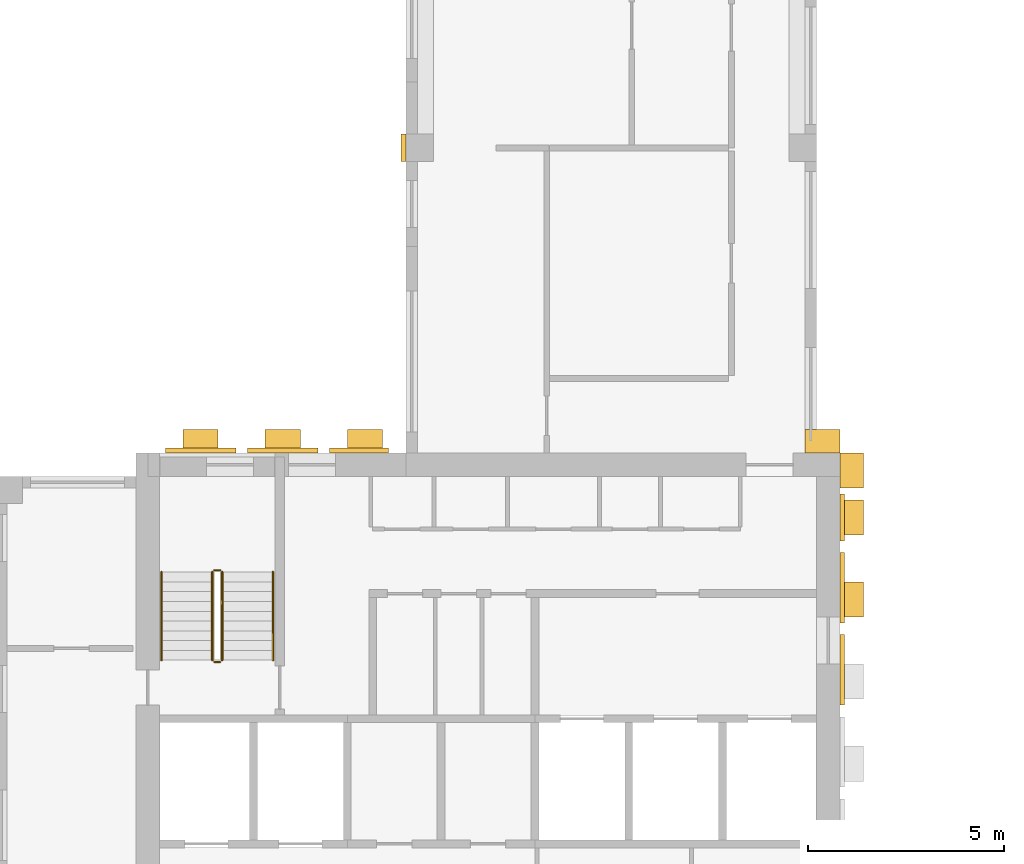
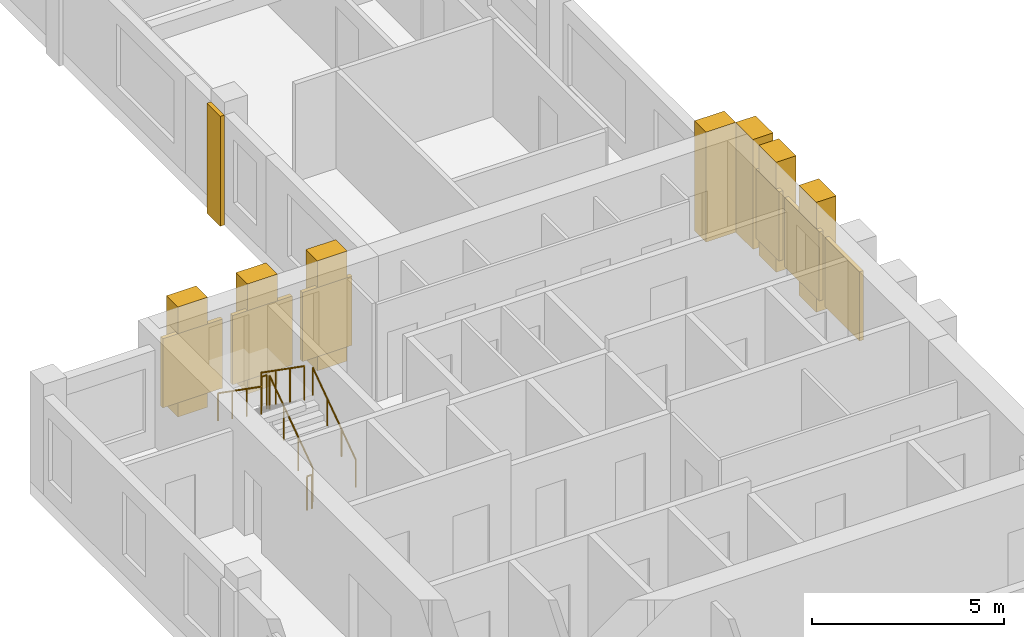
# One storey, part 7 of 9: 14 coverings, 6 railings.
"""IFC4 building model written with IfcOpenShell, lengths in metres."""

from ifc_helpers import new_model, si_unit, direction, frame, origin, origin_2d, place, context, subcontext, project, spatial, rectangle, circle, extrude, source, transform, mapped, material, type_object, element, save


model = new_model("IFC4")

# Units and contexts
model_context = context("Model", 3, precision=1e-05, world=origin(), true_north=direction((0.0, 1.0)))
body_context = subcontext(model_context, "Body", "Model", "MODEL_VIEW")
ifc_project = project(units=[si_unit("LENGTHUNIT", "METRE"), si_unit("AREAUNIT", "SQUARE_METRE"), si_unit("VOLUMEUNIT", "CUBIC_METRE"), si_unit("PLANEANGLEUNIT", "RADIAN"), si_unit("MASSUNIT", "GRAM", prefix="KILO")], contexts=[model_context])

# Site, building, storey
site_placement = place(None, origin())
site = spatial("IfcSite", under=ifc_project, at=site_placement, CompositionType="ELEMENT")
building_placement = place(site_placement, origin())
building = spatial("IfcBuilding", under=site, at=building_placement, Name="Aurelian Terraces", CompositionType="ELEMENT")
storey_placement = place(building_placement, frame((0.0, 0.0, 295.0)))
storey = spatial("IfcBuildingStorey", under=building, at=storey_placement, Name="L67", CompositionType="ELEMENT", Elevation=295.0)

# Coverings
ifc_material_1 = material(Name="Terracotta rainscreen cladding louvre blades", Category="masonry")
covering_type_1 = type_object("IfcCoveringType", Name="LOUVRE-TC", PredefinedType="CLADDING", material=ifc_material_1)
shared_shape_1 = source(origin(), body_context, "Body", "SweptSolid", [
    extrude(rectangle(XDim=0.12, YDim=1.8, at=origin_2d()), origin(), (0.0, 0.0, 1.0), 2.2),
])
for number, where, z_axis, x_axis, name in (
    (1, (21.66, 16.05, 0.45), (0.0, 0.0, 1.0), (1.0, 0.0, 0.0), "LOUVRE L67 core face E.3"),
    (2, (21.66, 18.15, 0.45), (0.0, 0.0, 1.0), (1.0, 0.0, 0.0), "LOUVRE L67 core face E.4"),
):
    element("IfcCovering", number, at=place(storey_placement, frame(where, z_axis=z_axis, x_axis=x_axis)), inside=storey, type_object=covering_type_1, Name=name, PredefinedType="CLADDING", context=body_context, shape_type="MappedRepresentation", body=[
        mapped(shared_shape_1, transform((0.0, 0.0, 0.0), scale=1.0)),
    ])
shared_shape_2 = source(origin(), body_context, "Body", "SweptSolid", [
    extrude(rectangle(XDim=1.8, YDim=0.12, at=origin_2d()), origin(), (0.0, 0.0, 1.0), 2.2),
])
for number, where, z_axis, x_axis, name in (
    (3, (5.25, 21.66, 0.45), (0.0, 0.0, 1.0), (1.0, 0.0, 0.0), "LOUVRE L67 core face N.1"),
    (4, (7.35, 21.66, 0.45), (0.0, 0.0, 1.0), (1.0, 0.0, 0.0), "LOUVRE L67 core face N.2"),
):
    element("IfcCovering", number, at=place(storey_placement, frame(where, z_axis=z_axis, x_axis=x_axis)), inside=storey, type_object=covering_type_1, Name=name, PredefinedType="CLADDING", context=body_context, shape_type="MappedRepresentation", body=[
        mapped(shared_shape_2, transform((0.0, 0.0, 0.0), scale=1.0)),
    ])
ifc_material_2 = material(Name="Terracotta rainscreen cladding relief", Category="masonry")
covering_type_2 = type_object("IfcCoveringType", Name="BAGUETTE-TC", PredefinedType="CLADDING", material=ifc_material_2)
shared_shape_3 = source(origin(), body_context, "Body", "SweptSolid", [
    extrude(rectangle(XDim=0.12, YDim=0.7, at=origin_2d()), origin(), (0.0, 0.0, 1.0), 3.5),
])
covering_1_placement = place(storey_placement, frame((10.44, 29.4, -0.4), z_axis=(0.0, 0.0, 1.0), x_axis=(1.0, 0.0, 0.0)))
element("IfcCovering", 5, at=covering_1_placement, inside=storey, type_object=covering_type_2, Name="BAGUETTE pier L67 5", PredefinedType="CLADDING", context=body_context, shape_type="MappedRepresentation", body=[
    mapped(shared_shape_3, transform((0.0, 0.0, 0.0), scale=1.0)),
])
shared_shape_4 = source(origin(), body_context, "Body", "SweptSolid", [
    extrude(rectangle(XDim=0.12, YDim=1.2, at=origin_2d()), origin(), (0.0, 0.0, 1.0), 2.2),
])
covering_2_placement = place(storey_placement, frame((21.66, 19.95, 0.45), z_axis=(0.0, 0.0, 1.0), x_axis=(1.0, 0.0, 0.0)))
element("IfcCovering", 6, at=covering_2_placement, inside=storey, type_object=covering_type_1, Name="LOUVRE L67 core face E.5", PredefinedType="CLADDING", context=body_context, shape_type="MappedRepresentation", body=[
    mapped(shared_shape_4, transform((0.0, 0.0, 0.0), scale=1.0)),
])
shared_shape_5 = source(origin(), body_context, "Body", "SweptSolid", [
    extrude(rectangle(XDim=1.5, YDim=0.12, at=origin_2d()), origin(), (0.0, 0.0, 1.0), 2.2),
])
covering_3_placement = place(storey_placement, frame((9.3, 21.66, 0.45), z_axis=(0.0, 0.0, 1.0), x_axis=(1.0, 0.0, 0.0)))
element("IfcCovering", 7, at=covering_3_placement, inside=storey, type_object=covering_type_1, Name="LOUVRE L67 core face N.3", PredefinedType="CLADDING", context=body_context, shape_type="MappedRepresentation", body=[
    mapped(shared_shape_5, transform((0.0, 0.0, 0.0), scale=1.0)),
])

# Railings
ifc_material_3 = material(Name="Stainless steel", Category="steel")
railing_type_1 = type_object("IfcRailingType", Name="Stair guard 1100", PredefinedType="GUARDRAIL", material=ifc_material_3)
shared_shape_6 = source(origin(), body_context, "Body", "SweptSolid", [
    extrude(circle(Radius=0.024, at=origin_2d()), frame((0.0, 0.0, 1.076), z_axis=(-1.0, 0.0, 0.0), x_axis=(0.0, -1.0, 0.0)), (0.0, 0.0, 1.0), 0.15),
    extrude(circle(Radius=0.021, at=origin_2d()), origin(), (0.0, 0.0, 1.0), 1.052),
    extrude(circle(Radius=0.021, at=origin_2d()), frame((-0.15, 0.0, 0.0)), (0.0, 0.0, 1.0), 1.052),
])
for number, where, name in (
    (8, (5.75, 18.6, 1.75), "L67 S1 stair guard 2"),
    (9, (5.75, 16.25, 0.0), "L67 S1 stair guard 4"),
):
    element("IfcRailing", number, at=place(storey_placement, frame(where)), inside=storey, type_object=railing_type_1, Name=name, PredefinedType="GUARDRAIL", context=body_context, shape_type="MappedRepresentation", body=[
        mapped(shared_shape_6, transform((0.0, 0.0, 0.0), scale=1.0)),
    ])
shared_shape_7 = source(origin(), body_context, "Body", "SweptSolid", [
    extrude(circle(Radius=0.024, at=origin_2d()), frame((0.0, 0.0, 1.076), z_axis=(0.0, 0.819231920519, 0.573462344363), x_axis=(-1.0, 0.0, 0.0)), (0.0, 0.0, 1.0), 2.7465),
    extrude(circle(Radius=0.021, at=origin_2d()), origin(), (0.0, 0.0, 1.0), 1.052),
    extrude(circle(Radius=0.021, at=origin_2d()), frame((0.0, 0.75, 0.525)), (0.0, 0.0, 1.0), 1.052),
    extrude(circle(Radius=0.021, at=origin_2d()), frame((0.0, 1.5, 1.05)), (0.0, 0.0, 1.0), 1.052),
    extrude(circle(Radius=0.021, at=origin_2d()), frame((0.0, 2.25, 1.575)), (0.0, 0.0, 1.0), 1.052),
])
railing_1_placement = place(storey_placement, frame((5.8, 16.3, 0.175)))
element("IfcRailing", 10, at=railing_1_placement, inside=storey, type_object=railing_type_1, Name="L67 S1 stair guard 1", PredefinedType="GUARDRAIL", context=body_context, shape_type="MappedRepresentation", body=[
    mapped(shared_shape_7, transform((0.0, 0.0, 0.0), scale=1.0)),
])
shared_shape_8 = source(origin(), body_context, "Body", "SweptSolid", [
    extrude(circle(Radius=0.024, at=origin_2d()), frame((0.0, 0.0, 1.076), z_axis=(0.0, -0.819231920519, 0.573462344363), x_axis=(1.0, 0.0, 0.0)), (0.0, 0.0, 1.0), 2.7465),
    extrude(circle(Radius=0.021, at=origin_2d()), origin(), (0.0, 0.0, 1.0), 1.052),
    extrude(circle(Radius=0.021, at=origin_2d()), frame((0.0, -0.75, 0.525)), (0.0, 0.0, 1.0), 1.052),
    extrude(circle(Radius=0.021, at=origin_2d()), frame((0.0, -1.5, 1.05)), (0.0, 0.0, 1.0), 1.052),
    extrude(circle(Radius=0.021, at=origin_2d()), frame((0.0, -2.25, 1.575)), (0.0, 0.0, 1.0), 1.052),
])
railing_2_placement = place(storey_placement, frame((5.55, 18.55, 1.925)))
element("IfcRailing", 11, at=railing_2_placement, inside=storey, type_object=railing_type_1, Name="L67 S1 stair guard 3", PredefinedType="GUARDRAIL", context=body_context, shape_type="MappedRepresentation", body=[
    mapped(shared_shape_8, transform((0.0, 0.0, 0.0), scale=1.0)),
])
railing_type_2 = type_object("IfcRailingType", Name="Stair handrail", PredefinedType="HANDRAIL", material=ifc_material_3)
shared_shape_9 = source(origin(), body_context, "Body", "SweptSolid", [
    extrude(circle(Radius=0.024, at=origin_2d()), frame((0.0, 0.0, 0.876), z_axis=(0.0, 0.819231920519, 0.573462344363), x_axis=(-1.0, 0.0, 0.0)), (0.0, 0.0, 1.0), 2.7465),
    extrude(circle(Radius=0.021, at=origin_2d()), origin(), (0.0, 0.0, 1.0), 0.852),
    extrude(circle(Radius=0.021, at=origin_2d()), frame((0.0, 0.75, 0.525)), (0.0, 0.0, 1.0), 0.852),
    extrude(circle(Radius=0.021, at=origin_2d()), frame((0.0, 1.5, 1.05)), (0.0, 0.0, 1.0), 0.852),
    extrude(circle(Radius=0.021, at=origin_2d()), frame((0.0, 2.25, 1.575)), (0.0, 0.0, 1.0), 0.852),
])
railing_3_placement = place(storey_placement, frame((7.1, 16.3, 0.175)))
element("IfcRailing", 12, at=railing_3_placement, inside=storey, type_object=railing_type_2, Name="L67 S1 stair handrail 1", PredefinedType="HANDRAIL", context=body_context, shape_type="MappedRepresentation", body=[
    mapped(shared_shape_9, transform((0.0, 0.0, 0.0), scale=1.0)),
])
shared_shape_10 = source(origin(), body_context, "Body", "SweptSolid", [
    extrude(circle(Radius=0.024, at=origin_2d()), frame((0.0, 0.0, 0.876), z_axis=(0.0, -0.819231920519, 0.573462344363), x_axis=(1.0, 0.0, 0.0)), (0.0, 0.0, 1.0), 2.7465),
    extrude(circle(Radius=0.021, at=origin_2d()), origin(), (0.0, 0.0, 1.0), 0.852),
    extrude(circle(Radius=0.021, at=origin_2d()), frame((0.0, -0.75, 0.525)), (0.0, 0.0, 1.0), 0.852),
    extrude(circle(Radius=0.021, at=origin_2d()), frame((0.0, -1.5, 1.05)), (0.0, 0.0, 1.0), 0.852),
    extrude(circle(Radius=0.021, at=origin_2d()), frame((0.0, -2.25, 1.575)), (0.0, 0.0, 1.0), 0.852),
])
railing_4_placement = place(storey_placement, frame((4.25, 18.55, 1.925)))
element("IfcRailing", 13, at=railing_4_placement, inside=storey, type_object=railing_type_2, Name="L67 S1 stair handrail 2", PredefinedType="HANDRAIL", context=body_context, shape_type="MappedRepresentation", body=[
    mapped(shared_shape_10, transform((0.0, 0.0, 0.0), scale=1.0)),
])

# Coverings
covering_type_3 = type_object("IfcCoveringType", Name="Core spine pier 900x600", PredefinedType="CLADDING", material=ifc_material_2)
shared_shape_11 = source(origin(), body_context, "Body", "SweptSolid", [
    extrude(rectangle(XDim=0.6, YDim=0.9, at=origin_2d()), origin(), (0.0, 0.0, 1.0), 3.5),
])
for number, where, z_axis, x_axis, name in (
    (14, (21.9, 17.85, 0.0), (0.0, 0.0, 1.0), (1.0, 0.0, 0.0), "Spine pier L67 E4"),
    (15, (21.9, 19.95, 0.0), (0.0, 0.0, 1.0), (1.0, 0.0, 0.0), "Spine pier L67 E5"),
    (16, (21.9, 21.15, 0.0), (0.0, 0.0, 1.0), (1.0, 0.0, 0.0), "Spine pier L67 corner east"),
):
    element("IfcCovering", number, at=place(storey_placement, frame(where, z_axis=z_axis, x_axis=x_axis)), inside=storey, type_object=covering_type_3, Name=name, PredefinedType="CLADDING", context=body_context, shape_type="MappedRepresentation", body=[
        mapped(shared_shape_11, transform((0.0, 0.0, 0.0), scale=1.0)),
    ])
shared_shape_12 = source(origin(), body_context, "Body", "SweptSolid", [
    extrude(rectangle(XDim=0.9, YDim=0.6, at=origin_2d()), origin(), (0.0, 0.0, 1.0), 3.5),
])
for number, where, z_axis, x_axis, name in (
    (17, (5.25, 21.9, 0.0), (0.0, 0.0, 1.0), (1.0, 0.0, 0.0), "Spine pier L67 N6"),
    (18, (7.35, 21.9, 0.0), (0.0, 0.0, 1.0), (1.0, 0.0, 0.0), "Spine pier L67 N7"),
    (19, (9.45, 21.9, 0.0), (0.0, 0.0, 1.0), (1.0, 0.0, 0.0), "Spine pier L67 N8"),
    (20, (21.15, 21.9, 0.0), (0.0, 0.0, 1.0), (1.0, 0.0, 0.0), "Spine pier L67 corner north"),
):
    element("IfcCovering", number, at=place(storey_placement, frame(where, z_axis=z_axis, x_axis=x_axis)), inside=storey, type_object=covering_type_3, Name=name, PredefinedType="CLADDING", context=body_context, shape_type="MappedRepresentation", body=[
        mapped(shared_shape_12, transform((0.0, 0.0, 0.0), scale=1.0)),
    ])

save(model, "model.ifc")
